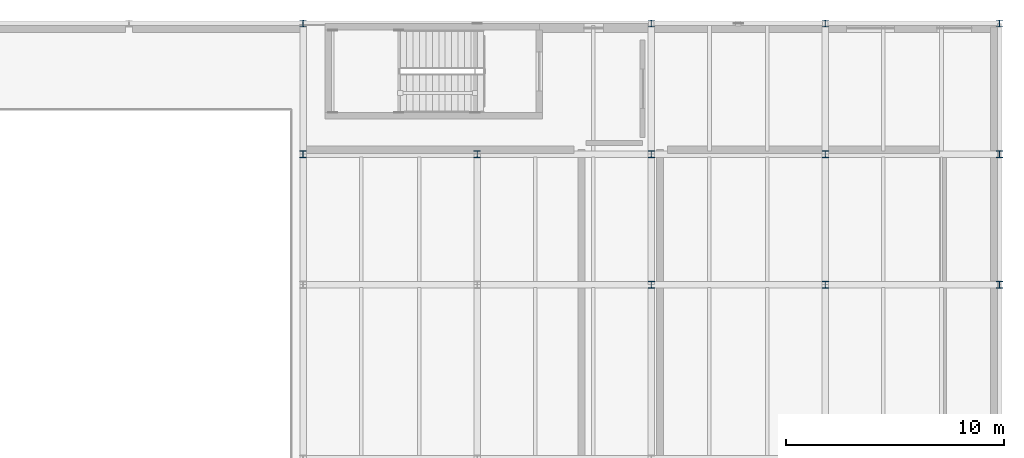
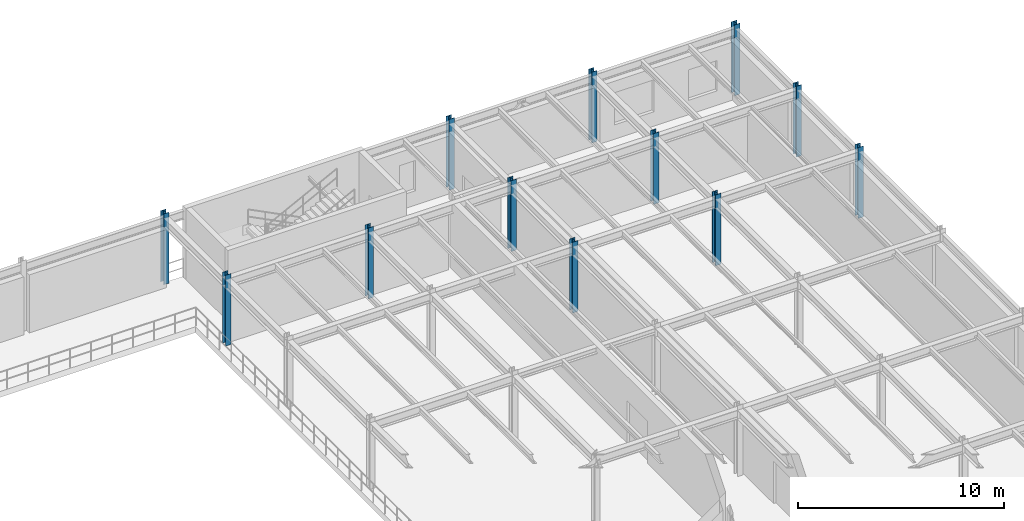
# One storey, part 18 of 122: 12 columns.
"""IFC4 building model written with IfcOpenShell, lengths in metres."""

from ifc_helpers import new_model, si_unit, direction, frame, origin, origin_2d, place, context, subcontext, project, spatial, i_section, extrude, material, material_profile, profile_set, type_object, element, save


model = new_model("IFC4")

# Units and contexts
model_context = context("Model", 3, precision=1e-05, world=origin(), true_north=direction((0.0, 1.0)))
body_context = subcontext(model_context, "Body", "Model", "MODEL_VIEW")
ifc_project = project(units=[si_unit("LENGTHUNIT", "METRE"), si_unit("AREAUNIT", "SQUARE_METRE"), si_unit("VOLUMEUNIT", "CUBIC_METRE"), si_unit("PLANEANGLEUNIT", "RADIAN"), si_unit("MASSUNIT", "GRAM", prefix="KILO")], contexts=[model_context])

# Site, building, storey
site_placement = place(None, origin())
site = spatial("IfcSite", under=ifc_project, at=site_placement, CompositionType="ELEMENT")
building_placement = place(site_placement, origin())
building = spatial("IfcBuilding", under=site, at=building_placement, Name="Sundkrona Museum", CompositionType="ELEMENT")
storey_placement = place(building_placement, frame((0.0, 0.0, 5.39990234375)))
storey = spatial("IfcBuildingStorey", under=building, at=storey_placement, Name="L01", CompositionType="ELEMENT", Elevation=5.39990234375)

# Columns
ifc_material = material(Name="Steel S355J2", Category="steel")
ifc_material_profile = material_profile(ifc_material, i_section(OverallWidth=0.300048828125, OverallDepth=0.320068359375, WebThickness=0.011474609375, FlangeThickness=0.0205078125, FilletRadius=0.027099609375, at=origin_2d()), Name="HEB 320")
ifc_profile_set = profile_set([ifc_material_profile], Name="Steel S355J2")
column_type = type_object("IfcColumnType", Name="C-HEB320", PredefinedType="COLUMN", material=ifc_profile_set)
for number, where, z_axis, x_axis, name in (
    (1, (136.0, 108.0, 0.0), (0.0, 0.0, 1.0), (1.0, 0.0, 0.0), "L01 Column Q/18"),
    (2, (136.0, 114.0, 0.0), (0.0, 0.0, 1.0), (1.0, 0.0, 0.0), "L01 Column R/18"),
    (3, (144.0, 108.0, 0.0), (0.0, 0.0, 1.0), (1.0, 0.0, 0.0), "L01 Column Q/19"),
    (4, (152.0, 102.0, 0.0), (0.0, 0.0, 1.0), (1.0, 0.0, 0.0), "L01 Column P/20"),
    (5, (152.0, 108.0, 0.0), (0.0, 0.0, 1.0), (1.0, 0.0, 0.0), "L01 Column Q/20"),
    (6, (152.0, 114.0, 0.0), (0.0, 0.0, 1.0), (1.0, 0.0, 0.0), "L01 Column R/20"),
    (7, (160.0, 102.0, 0.0), (0.0, 0.0, 1.0), (1.0, 0.0, 0.0), "L01 Column P/21"),
    (8, (160.0, 108.0, 0.0), (0.0, 0.0, 1.0), (1.0, 0.0, 0.0), "L01 Column Q/21"),
    (9, (160.0, 114.0, 0.0), (0.0, 0.0, 1.0), (1.0, 0.0, 0.0), "L01 Column R/21"),
    (10, (168.0, 102.0, 0.0), (0.0, 0.0, 1.0), (1.0, 0.0, 0.0), "L01 Column P/22"),
    (11, (168.0, 108.0, 0.0), (0.0, 0.0, 1.0), (1.0, 0.0, 0.0), "L01 Column Q/22"),
    (12, (168.0, 114.0, 0.0), (0.0, 0.0, 1.0), (1.0, 0.0, 0.0), "L01 Column R/22"),
):
    element("IfcColumn", number, at=place(storey_placement, frame(where, z_axis=z_axis, x_axis=x_axis)), inside=storey, type_object=column_type, Name=name, PredefinedType="COLUMN", context=body_context, shape_type="SweptSolid", body=[
        extrude(i_section(OverallWidth=0.300048828125, OverallDepth=0.320068359375, WebThickness=0.011474609375, FlangeThickness=0.0205078125, FilletRadius=0.027099609375, at=origin_2d()), origin(), (0.0, 0.0, 1.0), 4.2001953125),
    ])

save(model, "model.ifc")
